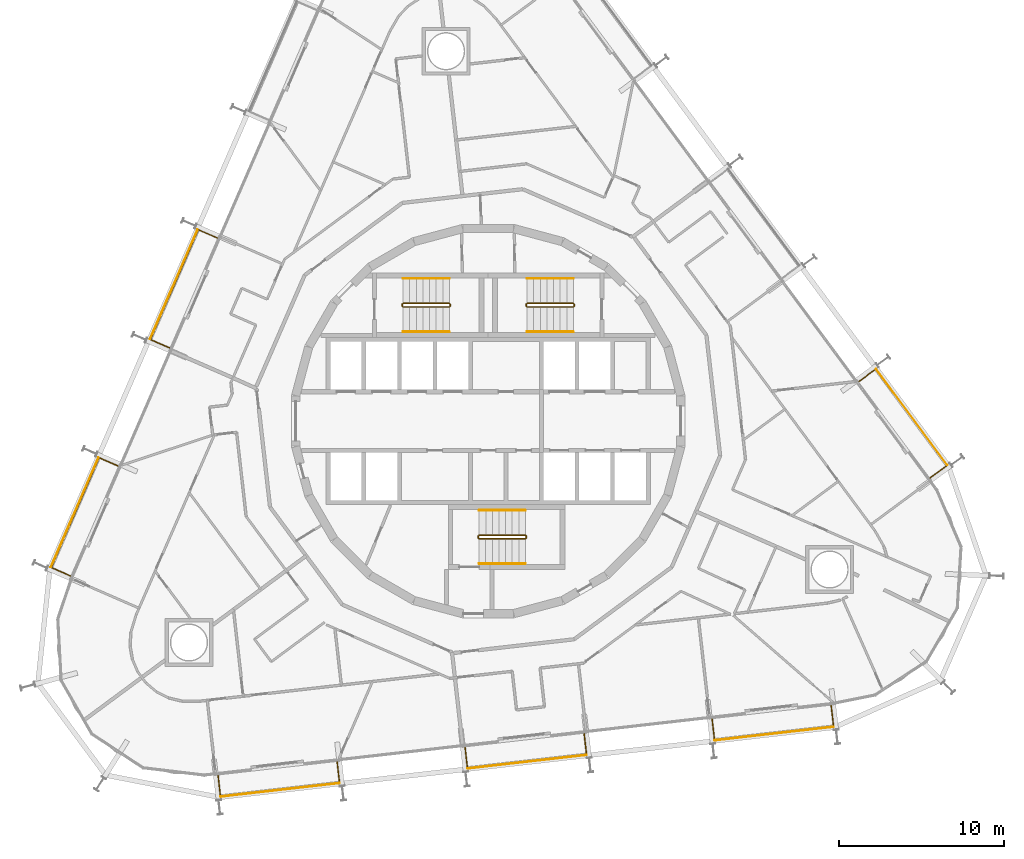
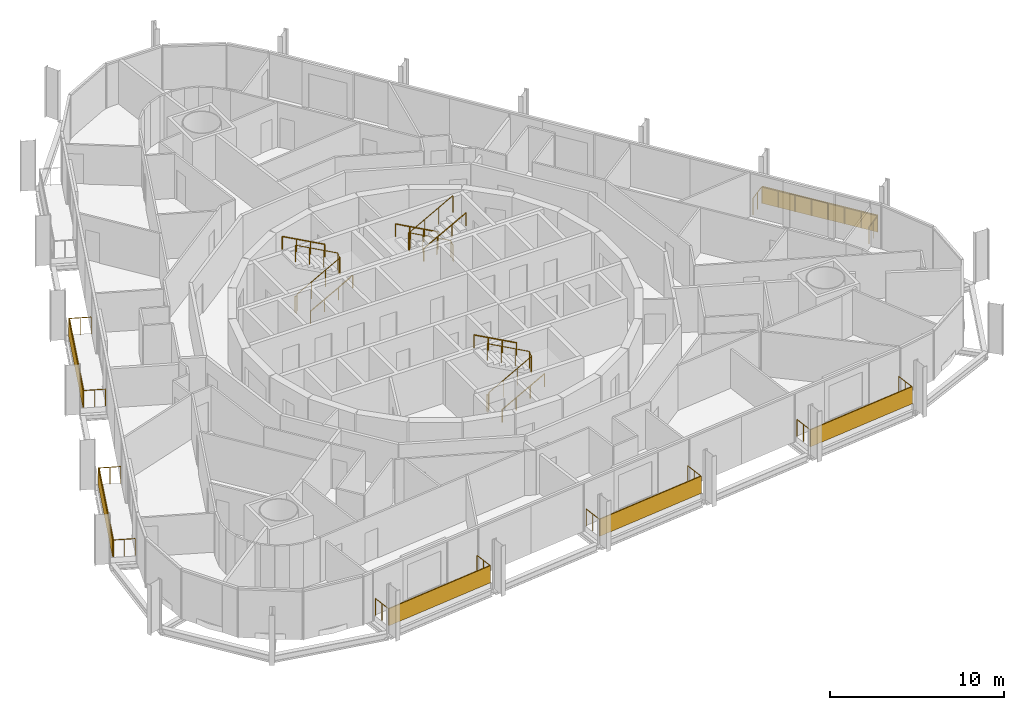
# One storey, part 21 of 22: 15 railings, 6 shading devices.
"""IFC4 building model written with IfcOpenShell, lengths in metres."""

from ifc_helpers import new_model, si_unit, direction, frame, origin, origin_2d, place, context, subcontext, project, spatial, rectangle, circle, extrude, material, layer, layer_set, type_object, element, save


model = new_model("IFC4")

# Units and contexts
model_context = context("Model", 3, precision=1e-05, world=origin(), true_north=direction((0.0, 1.0)))
body_context = subcontext(model_context, "Body", "Model", "MODEL_VIEW")
ifc_project = project(units=[si_unit("LENGTHUNIT", "METRE"), si_unit("AREAUNIT", "SQUARE_METRE"), si_unit("VOLUMEUNIT", "CUBIC_METRE"), si_unit("PLANEANGLEUNIT", "RADIAN"), si_unit("MASSUNIT", "GRAM", prefix="KILO")], contexts=[model_context])

# Site, building, storey
site_placement = place(None, origin())
site = spatial("IfcSite", under=ifc_project, at=site_placement, CompositionType="ELEMENT")
building_placement = place(site_placement, origin())
building = spatial("IfcBuilding", under=site, at=building_placement, Name="Spindle Arch Residences", CompositionType="ELEMENT")
storey_placement = place(building_placement, frame((0.0, 0.0, 80.199951171875)))
storey = spatial("IfcBuildingStorey", under=building, at=storey_placement, Name="L18", CompositionType="ELEMENT", Elevation=80.199951171875)

# Railings
ifc_material_1 = material(Name="Bronze anodised aluminium guard with glass infill", Category="aluminium")
railing_type_1 = type_object("IfcRailingType", Name="Balcony guard 1200", PredefinedType="GUARDRAIL", material=ifc_material_1)
railing_1_placement = place(storey_placement, frame((13.54150390625, -18.030517578125, 0.0)))
element("IfcRailing", 1, at=railing_1_placement, inside=storey, type_object=railing_type_1, Name="Guard L18 bay 2", PredefinedType="GUARDRAIL", context=body_context, shape_type="SweptSolid", body=[
    extrude(circle(Radius=0.02392578125, at=origin_2d()), frame((0.0, 0.0, 1.17578125), z_axis=(0.113089367196, -0.993584820248, 0.0), x_axis=(0.993584820248, 0.113089367196, 0.0)), (0.0, 0.0, 1.0), 1.25),
    extrude(circle(Radius=0.02392578125, at=origin_2d()), frame((0.141357421875, -1.241943359375, 1.17578125), z_axis=(0.993572236179, 0.113199874095, 0.0), x_axis=(-0.113199874095, 0.993572236179, 0.0)), (0.0, 0.0, 1.0), 7.248779296875),
    extrude(circle(Radius=0.02392578125, at=origin_2d()), frame((7.343505859375, -0.42138671875, 1.17578125), z_axis=(-0.113089367196, 0.993584820248, 0.0), x_axis=(-0.993584820248, -0.113089367196, 0.0)), (0.0, 0.0, 1.0), 1.25),
    extrude(circle(Radius=0.02099609375, at=origin_2d()), origin(), (0.0, 0.0, 1.0), 1.15185546875),
    extrude(circle(Radius=0.02099609375, at=origin_2d()), frame((0.07080078125, -0.62109375, 0.0)), (0.0, 0.0, 1.0), 1.15185546875),
    extrude(circle(Radius=0.02099609375, at=origin_2d()), frame((0.141357421875, -1.241943359375, 0.0)), (0.0, 0.0, 1.0), 1.15185546875),
    extrude(circle(Radius=0.02099609375, at=origin_2d()), frame((1.170166015625, -1.124755859375, 0.0)), (0.0, 0.0, 1.0), 1.15185546875),
    extrude(circle(Radius=0.02099609375, at=origin_2d()), frame((2.19921875, -1.007568359375, 0.0)), (0.0, 0.0, 1.0), 1.15185546875),
    extrude(circle(Radius=0.02099609375, at=origin_2d()), frame((3.22802734375, -0.890380859375, 0.0)), (0.0, 0.0, 1.0), 1.15185546875),
    extrude(circle(Radius=0.02099609375, at=origin_2d()), frame((4.2568359375, -0.77294921875, 0.0)), (0.0, 0.0, 1.0), 1.15185546875),
    extrude(circle(Radius=0.02099609375, at=origin_2d()), frame((5.28564453125, -0.65576171875, 0.0)), (0.0, 0.0, 1.0), 1.15185546875),
    extrude(circle(Radius=0.02099609375, at=origin_2d()), frame((6.314697265625, -0.53857421875, 0.0)), (0.0, 0.0, 1.0), 1.15185546875),
    extrude(circle(Radius=0.02099609375, at=origin_2d()), frame((7.343505859375, -0.42138671875, 0.0)), (0.0, 0.0, 1.0), 1.15185546875),
    extrude(circle(Radius=0.02099609375, at=origin_2d()), frame((7.27294921875, 0.19970703125, 0.0)), (0.0, 0.0, 1.0), 1.15185546875),
    extrude(circle(Radius=0.02099609375, at=origin_2d()), frame((7.2021484375, 0.820556640625, 0.0)), (0.0, 0.0, 1.0), 1.15185546875),
])
railing_2_placement = place(storey_placement, frame((26.733642578125, -3.433837890625, 0.0)))
element("IfcRailing", 2, at=railing_2_placement, inside=storey, type_object=railing_type_1, Name="Guard L18 bay 6", PredefinedType="GUARDRAIL", context=body_context, shape_type="SweptSolid", body=[
    extrude(circle(Radius=0.02392578125, at=origin_2d()), frame((0.0, 0.0, 1.17578125), z_axis=(0.803826957932, 0.594863195787, 0.0), x_axis=(-0.594863195787, 0.803826957932, 0.0)), (0.0, 0.0, 1.0), 1.250244140625),
    extrude(circle(Radius=0.02392578125, at=origin_2d()), frame((1.0048828125, 0.74365234375, 1.17578125), z_axis=(-0.594830382786, 0.803851239792, 0.0), x_axis=(-0.803851239792, -0.594830382786, 0.0)), (0.0, 0.0, 1.0), 7.248779296875),
    extrude(circle(Radius=0.02392578125, at=origin_2d()), frame((-3.306884765625, 6.570556640625, 1.17578125), z_axis=(-0.803920341668, -0.594736987459, 0.0), x_axis=(0.594736987459, -0.803920341668, 0.0)), (0.0, 0.0, 1.0), 1.25),
    extrude(circle(Radius=0.02099609375, at=origin_2d()), origin(), (0.0, 0.0, 1.0), 1.15185546875),
    extrude(circle(Radius=0.02099609375, at=origin_2d()), frame((0.50244140625, 0.371826171875, 0.0)), (0.0, 0.0, 1.0), 1.15185546875),
    extrude(circle(Radius=0.02099609375, at=origin_2d()), frame((1.0048828125, 0.74365234375, 0.0)), (0.0, 0.0, 1.0), 1.15185546875),
    extrude(circle(Radius=0.02099609375, at=origin_2d()), frame((0.388916015625, 1.576171875, 0.0)), (0.0, 0.0, 1.0), 1.15185546875),
    extrude(circle(Radius=0.02099609375, at=origin_2d()), frame((-0.22705078125, 2.408447265625, 0.0)), (0.0, 0.0, 1.0), 1.15185546875),
    extrude(circle(Radius=0.02099609375, at=origin_2d()), frame((-0.843017578125, 3.240966796875, 0.0)), (0.0, 0.0, 1.0), 1.15185546875),
    extrude(circle(Radius=0.02099609375, at=origin_2d()), frame((-1.458984375, 4.0732421875, 0.0)), (0.0, 0.0, 1.0), 1.15185546875),
    extrude(circle(Radius=0.02099609375, at=origin_2d()), frame((-2.074951171875, 4.90576171875, 0.0)), (0.0, 0.0, 1.0), 1.15185546875),
    extrude(circle(Radius=0.02099609375, at=origin_2d()), frame((-2.69091796875, 5.738037109375, 0.0)), (0.0, 0.0, 1.0), 1.15185546875),
    extrude(circle(Radius=0.02099609375, at=origin_2d()), frame((-3.306884765625, 6.570556640625, 0.0)), (0.0, 0.0, 1.0), 1.15185546875),
    extrude(circle(Radius=0.02099609375, at=origin_2d()), frame((-3.809326171875, 6.19873046875, 0.0)), (0.0, 0.0, 1.0), 1.15185546875),
    extrude(circle(Radius=0.02099609375, at=origin_2d()), frame((-4.311767578125, 5.8271484375, 0.0)), (0.0, 0.0, 1.0), 1.15185546875),
])
railing_3_placement = place(storey_placement, frame((-16.389404296875, 11.078369140625, 0.0)))
element("IfcRailing", 3, at=railing_3_placement, inside=storey, type_object=railing_type_1, Name="Guard L18 bay 16", PredefinedType="GUARDRAIL", context=body_context, shape_type="SweptSolid", body=[
    extrude(circle(Radius=0.02392578125, at=origin_2d()), frame((0.0, 0.0, 1.17578125), z_axis=(-0.917020365572, 0.398840380511, 0.0), x_axis=(-0.398840380511, -0.917020365572, 0.0)), (0.0, 0.0, 1.0), 1.25),
    extrude(circle(Radius=0.02392578125, at=origin_2d()), frame((-1.146240234375, 0.49853515625, 1.17578125), z_axis=(-0.398734732131, -0.917066308067, 0.0), x_axis=(0.917066308067, -0.398734732131, 0.0)), (0.0, 0.0, 1.0), 7.248779296875),
    extrude(circle(Radius=0.02392578125, at=origin_2d()), frame((-4.03662109375, -6.149169921875, 1.17578125), z_axis=(0.917091793142, -0.398676112844, 0.0), x_axis=(0.398676112844, 0.917091793142, 0.0)), (0.0, 0.0, 1.0), 1.249755859375),
    extrude(circle(Radius=0.02099609375, at=origin_2d()), origin(), (0.0, 0.0, 1.0), 1.15185546875),
    extrude(circle(Radius=0.02099609375, at=origin_2d()), frame((-0.5732421875, 0.249267578125, 0.0)), (0.0, 0.0, 1.0), 1.15185546875),
    extrude(circle(Radius=0.02099609375, at=origin_2d()), frame((-1.146240234375, 0.49853515625, 0.0)), (0.0, 0.0, 1.0), 1.15185546875),
    extrude(circle(Radius=0.02099609375, at=origin_2d()), frame((-1.55908203125, -0.451171875, 0.0)), (0.0, 0.0, 1.0), 1.15185546875),
    extrude(circle(Radius=0.02099609375, at=origin_2d()), frame((-1.97216796875, -1.40087890625, 0.0)), (0.0, 0.0, 1.0), 1.15185546875),
    extrude(circle(Radius=0.02099609375, at=origin_2d()), frame((-2.385009765625, -2.3505859375, 0.0)), (0.0, 0.0, 1.0), 1.15185546875),
    extrude(circle(Radius=0.02099609375, at=origin_2d()), frame((-2.7978515625, -3.300048828125, 0.0)), (0.0, 0.0, 1.0), 1.15185546875),
    extrude(circle(Radius=0.02099609375, at=origin_2d()), frame((-3.210693359375, -4.249755859375, 0.0)), (0.0, 0.0, 1.0), 1.15185546875),
    extrude(circle(Radius=0.02099609375, at=origin_2d()), frame((-3.623779296875, -5.199462890625, 0.0)), (0.0, 0.0, 1.0), 1.15185546875),
    extrude(circle(Radius=0.02099609375, at=origin_2d()), frame((-4.03662109375, -6.149169921875, 0.0)), (0.0, 0.0, 1.0), 1.15185546875),
    extrude(circle(Radius=0.02099609375, at=origin_2d()), frame((-3.46337890625, -6.3984375, 0.0)), (0.0, 0.0, 1.0), 1.15185546875),
    extrude(circle(Radius=0.02099609375, at=origin_2d()), frame((-2.890380859375, -6.6474609375, 0.0)), (0.0, 0.0, 1.0), 1.15185546875),
])
railing_4_placement = place(storey_placement, frame((-22.385498046875, -2.7119140625, 0.0)))
element("IfcRailing", 4, at=railing_4_placement, inside=storey, type_object=railing_type_1, Name="Guard L18 bay 18", PredefinedType="GUARDRAIL", context=body_context, shape_type="SweptSolid", body=[
    extrude(circle(Radius=0.02392578125, at=origin_2d()), frame((0.0, 0.0, 1.17578125), z_axis=(-0.917122831658, 0.398604706008, 0.0), x_axis=(-0.398604706008, -0.917122831658, 0.0)), (0.0, 0.0, 1.0), 1.25),
    extrude(circle(Radius=0.02392578125, at=origin_2d()), frame((-1.146484375, 0.498291015625, 1.17578125), z_axis=(-0.398747048027, -0.917060953094, 0.0), x_axis=(0.917060953094, -0.398747048027, 0.0)), (0.0, 0.0, 1.0), 7.248779296875),
    extrude(circle(Radius=0.02392578125, at=origin_2d()), frame((-4.036865234375, -6.149169921875, 1.17578125), z_axis=(0.917020365572, -0.398840380511, 0.0), x_axis=(0.398840380511, 0.917020365572, 0.0)), (0.0, 0.0, 1.0), 1.25),
    extrude(circle(Radius=0.02099609375, at=origin_2d()), origin(), (0.0, 0.0, 1.0), 1.15185546875),
    extrude(circle(Radius=0.02099609375, at=origin_2d()), frame((-0.5732421875, 0.2490234375, 0.0)), (0.0, 0.0, 1.0), 1.15185546875),
    extrude(circle(Radius=0.02099609375, at=origin_2d()), frame((-1.146484375, 0.498291015625, 0.0)), (0.0, 0.0, 1.0), 1.15185546875),
    extrude(circle(Radius=0.02099609375, at=origin_2d()), frame((-1.559326171875, -0.451416015625, 0.0)), (0.0, 0.0, 1.0), 1.15185546875),
    extrude(circle(Radius=0.02099609375, at=origin_2d()), frame((-1.972412109375, -1.40087890625, 0.0)), (0.0, 0.0, 1.0), 1.15185546875),
    extrude(circle(Radius=0.02099609375, at=origin_2d()), frame((-2.38525390625, -2.3505859375, 0.0)), (0.0, 0.0, 1.0), 1.15185546875),
    extrude(circle(Radius=0.02099609375, at=origin_2d()), frame((-2.798095703125, -3.30029296875, 0.0)), (0.0, 0.0, 1.0), 1.15185546875),
    extrude(circle(Radius=0.02099609375, at=origin_2d()), frame((-3.2109375, -4.25, 0.0)), (0.0, 0.0, 1.0), 1.15185546875),
    extrude(circle(Radius=0.02099609375, at=origin_2d()), frame((-3.6240234375, -5.199462890625, 0.0)), (0.0, 0.0, 1.0), 1.15185546875),
    extrude(circle(Radius=0.02099609375, at=origin_2d()), frame((-4.036865234375, -6.149169921875, 0.0)), (0.0, 0.0, 1.0), 1.15185546875),
    extrude(circle(Radius=0.02099609375, at=origin_2d()), frame((-3.4638671875, -6.3984375, 0.0)), (0.0, 0.0, 1.0), 1.15185546875),
    extrude(circle(Radius=0.02099609375, at=origin_2d()), frame((-2.890625, -6.647705078125, 0.0)), (0.0, 0.0, 1.0), 1.15185546875),
])
railing_5_placement = place(storey_placement, frame((-16.340576171875, -21.43505859375, 0.0)))
element("IfcRailing", 5, at=railing_5_placement, inside=storey, type_object=railing_type_1, Name="Guard L18 bay 22", PredefinedType="GUARDRAIL", context=body_context, shape_type="SweptSolid", body=[
    extrude(circle(Radius=0.02392578125, at=origin_2d()), frame((0.0, 0.0, 1.17578125), z_axis=(0.11328218126, -0.993562855289, 0.0), x_axis=(0.993562855289, 0.11328218126, 0.0)), (0.0, 0.0, 1.0), 1.25),
    extrude(circle(Radius=0.02392578125, at=origin_2d()), frame((0.1416015625, -1.241943359375, 1.17578125), z_axis=(0.993572236179, 0.113199874095, 0.0), x_axis=(-0.113199874095, 0.993572236179, 0.0)), (0.0, 0.0, 1.0), 7.248779296875),
    extrude(circle(Radius=0.02392578125, at=origin_2d()), frame((7.34375, -0.42138671875, 1.17578125), z_axis=(-0.11328218126, 0.993562855289, 0.0), x_axis=(-0.993562855289, -0.11328218126, 0.0)), (0.0, 0.0, 1.0), 1.25),
    extrude(circle(Radius=0.02099609375, at=origin_2d()), origin(), (0.0, 0.0, 1.0), 1.15185546875),
    extrude(circle(Radius=0.02099609375, at=origin_2d()), frame((0.07080078125, -0.62109375, 0.0)), (0.0, 0.0, 1.0), 1.15185546875),
    extrude(circle(Radius=0.02099609375, at=origin_2d()), frame((0.1416015625, -1.241943359375, 0.0)), (0.0, 0.0, 1.0), 1.15185546875),
    extrude(circle(Radius=0.02099609375, at=origin_2d()), frame((1.17041015625, -1.124755859375, 0.0)), (0.0, 0.0, 1.0), 1.15185546875),
    extrude(circle(Radius=0.02099609375, at=origin_2d()), frame((2.199462890625, -1.007568359375, 0.0)), (0.0, 0.0, 1.0), 1.15185546875),
    extrude(circle(Radius=0.02099609375, at=origin_2d()), frame((3.228271484375, -0.890380859375, 0.0)), (0.0, 0.0, 1.0), 1.15185546875),
    extrude(circle(Radius=0.02099609375, at=origin_2d()), frame((4.257080078125, -0.77294921875, 0.0)), (0.0, 0.0, 1.0), 1.15185546875),
    extrude(circle(Radius=0.02099609375, at=origin_2d()), frame((5.285888671875, -0.65576171875, 0.0)), (0.0, 0.0, 1.0), 1.15185546875),
    extrude(circle(Radius=0.02099609375, at=origin_2d()), frame((6.31494140625, -0.53857421875, 0.0)), (0.0, 0.0, 1.0), 1.15185546875),
    extrude(circle(Radius=0.02099609375, at=origin_2d()), frame((7.34375, -0.42138671875, 0.0)), (0.0, 0.0, 1.0), 1.15185546875),
    extrude(circle(Radius=0.02099609375, at=origin_2d()), frame((7.27294921875, 0.19970703125, 0.0)), (0.0, 0.0, 1.0), 1.15185546875),
    extrude(circle(Radius=0.02099609375, at=origin_2d()), frame((7.2021484375, 0.820556640625, 0.0)), (0.0, 0.0, 1.0), 1.15185546875),
])
railing_6_placement = place(storey_placement, frame((-1.399658203125, -19.73291015625, 0.0)))
element("IfcRailing", 6, at=railing_6_placement, inside=storey, type_object=railing_type_1, Name="Guard L18 bay 24", PredefinedType="GUARDRAIL", context=body_context, shape_type="SweptSolid", body=[
    extrude(circle(Radius=0.02392578125, at=origin_2d()), frame((0.0, 0.0, 1.17578125), z_axis=(0.11328218126, -0.993562855289, 0.0), x_axis=(0.993562855289, 0.11328218126, 0.0)), (0.0, 0.0, 1.0), 1.25),
    extrude(circle(Radius=0.02392578125, at=origin_2d()), frame((0.1416015625, -1.241943359375, 1.17578125), z_axis=(0.993572236179, 0.113199874095, 0.0), x_axis=(-0.113199874095, 0.993572236179, 0.0)), (0.0, 0.0, 1.0), 7.248779296875),
    extrude(circle(Radius=0.02392578125, at=origin_2d()), frame((7.34375, -0.42138671875, 1.17578125), z_axis=(-0.113067424691, 0.993587317488, 0.0), x_axis=(-0.993587317488, -0.113067424691, 0.0)), (0.0, 0.0, 1.0), 1.250244140625),
    extrude(circle(Radius=0.02099609375, at=origin_2d()), origin(), (0.0, 0.0, 1.0), 1.15185546875),
    extrude(circle(Radius=0.02099609375, at=origin_2d()), frame((0.07080078125, -0.62109375, 0.0)), (0.0, 0.0, 1.0), 1.15185546875),
    extrude(circle(Radius=0.02099609375, at=origin_2d()), frame((0.1416015625, -1.241943359375, 0.0)), (0.0, 0.0, 1.0), 1.15185546875),
    extrude(circle(Radius=0.02099609375, at=origin_2d()), frame((1.17041015625, -1.124755859375, 0.0)), (0.0, 0.0, 1.0), 1.15185546875),
    extrude(circle(Radius=0.02099609375, at=origin_2d()), frame((2.199462890625, -1.007568359375, 0.0)), (0.0, 0.0, 1.0), 1.15185546875),
    extrude(circle(Radius=0.02099609375, at=origin_2d()), frame((3.228271484375, -0.890380859375, 0.0)), (0.0, 0.0, 1.0), 1.15185546875),
    extrude(circle(Radius=0.02099609375, at=origin_2d()), frame((4.257080078125, -0.77294921875, 0.0)), (0.0, 0.0, 1.0), 1.15185546875),
    extrude(circle(Radius=0.02099609375, at=origin_2d()), frame((5.285888671875, -0.65576171875, 0.0)), (0.0, 0.0, 1.0), 1.15185546875),
    extrude(circle(Radius=0.02099609375, at=origin_2d()), frame((6.31494140625, -0.53857421875, 0.0)), (0.0, 0.0, 1.0), 1.15185546875),
    extrude(circle(Radius=0.02099609375, at=origin_2d()), frame((7.34375, -0.42138671875, 0.0)), (0.0, 0.0, 1.0), 1.15185546875),
    extrude(circle(Radius=0.02099609375, at=origin_2d()), frame((7.27294921875, 0.19970703125, 0.0)), (0.0, 0.0, 1.0), 1.15185546875),
    extrude(circle(Radius=0.02099609375, at=origin_2d()), frame((7.202392578125, 0.82080078125, 0.0)), (0.0, 0.0, 1.0), 1.15185546875),
])

# Shading devices
ifc_material_2 = material(Name="Bronze perforated cobogo screen")
ifc_layer = layer(ifc_material_2, 0.0390625)
ifc_layer_set = layer_set([ifc_layer], Name="Cobogo screen 1200")
shading_device_type = type_object("IfcShadingDeviceType", Name="Cobogo screen 1200", PredefinedType="USERDEFINED", material=ifc_layer_set)
for number, where, z_axis, x_axis, name in (
    (7, (17.28857421875, -18.90234375, 0.0), (0.0, 0.0, 1.0), (0.993571855677, 0.113203213768, 0.0), "Cobogo screen L18 bay 2"),
    (8, (25.615234375, 0.247314453125, 0.0), (0.0, 0.0, 1.0), (-0.594822786751, 0.803856860617, 0.0), "Cobogo screen L18 bay 6"),
    (9, (-19.01806640625, 8.269287109375, 0.0), (0.0, 0.0, 1.0), (-0.398749068925, -0.917060074385, 0.0), "Cobogo screen L18 bay 16"),
    (10, (-25.01416015625, -5.521240234375, 0.0), (0.0, 0.0, 1.0), (-0.398749068925, -0.917060074385, 0.0), "Cobogo screen L18 bay 18"),
    (11, (-12.59326171875, -22.30712890625, 0.0), (0.0, 0.0, 1.0), (0.993571855677, 0.113203213768, 0.0), "Cobogo screen L18 bay 22"),
    (12, (2.34765625, -20.604736328125, 0.0), (0.0, 0.0, 1.0), (0.993571855677, 0.113203213768, 0.0), "Cobogo screen L18 bay 24"),
):
    element("IfcShadingDevice", number, at=place(storey_placement, frame(where, z_axis=z_axis, x_axis=x_axis)), inside=storey, type_object=shading_device_type, Name=name, ObjectType="SCREEN", PredefinedType="USERDEFINED", context=body_context, shape_type="SweptSolid", body=[
        extrude(rectangle(XDim=7.248779296875, YDim=0.0390625, at=origin_2d()), origin(), (0.0, 0.0, 1.0), 1.199951171875),
    ])

# Railings
ifc_material_3 = material(Name="Steel, painted", Category="steel")
railing_type_2 = type_object("IfcRailingType", Name="Stair guard 1100", PredefinedType="GUARDRAIL", material=ifc_material_3)
railing_7_placement = place(storey_placement, frame((5.14990234375, 6.89990234375, 3.5)))
element("IfcRailing", 13, at=railing_7_placement, inside=storey, type_object=railing_type_2, Name="L18 ST1 stair guard 1", PredefinedType="GUARDRAIL", context=body_context, shape_type="SweptSolid", body=[
    extrude(circle(Radius=0.02392578125, at=origin_2d()), frame((0.0, 0.0, 1.17578125), z_axis=(-0.877357048833, 0.0, -0.479838106931), x_axis=(0.0, -1.0, 0.0)), (0.0, 0.0, 1.0), 3.191162109375),
    extrude(circle(Radius=0.02392578125, at=origin_2d()), frame((-2.7998046875, 0.0, -0.35546875), z_axis=(-0.217683172539, 0.217683172539, -0.951434744366), x_axis=(-0.707106781187, -0.707106781187, 0.0)), (0.0, 0.0, 1.0), 0.22998046875),
    extrude(circle(Radius=0.02392578125, at=origin_2d()), frame((-2.849853515625, 0.050048828125, -0.57421875), z_axis=(0.0, 1.0, 0.0), x_axis=(-1.0, 0.0, 0.0)), (0.0, 0.0, 1.0), 0.1201171875),
    extrude(circle(Radius=0.02392578125, at=origin_2d()), frame((-2.849853515625, 0.170166015625, -0.57421875), z_axis=(0.707106781187, 0.707106781187, 0.0), x_axis=(-0.707106781187, 0.707106781187, 0.0)), (0.0, 0.0, 1.0), 0.07080078125),
    extrude(circle(Radius=0.02392578125, at=origin_2d()), frame((-2.7998046875, 0.22021484375, -0.57421875), z_axis=(0.877357048833, 0.0, -0.479838106931), x_axis=(0.0, 1.0, 0.0)), (0.0, 0.0, 1.0), 3.191162109375),
    extrude(circle(Radius=0.02392578125, at=origin_2d()), frame((0.0, 0.22021484375, -2.10546875), z_axis=(0.217683172539, -0.217683172539, -0.951434744366), x_axis=(0.707106781187, 0.707106781187, 0.0)), (0.0, 0.0, 1.0), 0.22998046875),
    extrude(circle(Radius=0.02392578125, at=origin_2d()), frame((0.050048828125, 0.170166015625, -2.32421875), z_axis=(0.0, -1.0, 0.0), x_axis=(1.0, 0.0, 0.0)), (0.0, 0.0, 1.0), 0.1201171875),
    extrude(circle(Radius=0.02099609375, at=origin_2d()), origin(), (0.0, 0.0, 1.0), 1.15185546875),
    extrude(circle(Radius=0.02099609375, at=origin_2d()), frame((-0.933349609375, 0.0, -0.510498046875)), (0.0, 0.0, 1.0), 1.15185546875),
    extrude(circle(Radius=0.02099609375, at=origin_2d()), frame((-1.866455078125, 0.0, -1.020751953125)), (0.0, 0.0, 1.0), 1.15185546875),
    extrude(circle(Radius=0.02099609375, at=origin_2d()), frame((-2.7998046875, 0.0, -1.53125)), (0.0, 0.0, 1.0), 1.15185546875),
    extrude(circle(Radius=0.02099609375, at=origin_2d()), frame((-2.849853515625, 0.050048828125, -1.75)), (0.0, 0.0, 1.0), 1.15185546875),
    extrude(circle(Radius=0.02099609375, at=origin_2d()), frame((-2.849853515625, 0.170166015625, -1.75)), (0.0, 0.0, 1.0), 1.15185546875),
    extrude(circle(Radius=0.02099609375, at=origin_2d()), frame((-2.7998046875, 0.22021484375, -1.75)), (0.0, 0.0, 1.0), 1.15185546875),
    extrude(circle(Radius=0.02099609375, at=origin_2d()), frame((-1.866455078125, 0.22021484375, -2.260498046875)), (0.0, 0.0, 1.0), 1.15185546875),
    extrude(circle(Radius=0.02099609375, at=origin_2d()), frame((-0.933349609375, 0.22021484375, -2.770751953125)), (0.0, 0.0, 1.0), 1.15185546875),
    extrude(circle(Radius=0.02099609375, at=origin_2d()), frame((0.0, 0.22021484375, -3.28125)), (0.0, 0.0, 1.0), 1.15185546875),
    extrude(circle(Radius=0.02099609375, at=origin_2d()), frame((0.050048828125, 0.170166015625, -3.5)), (0.0, 0.0, 1.0), 1.15185546875),
    extrude(circle(Radius=0.02099609375, at=origin_2d()), frame((0.050048828125, 0.050048828125, -3.5)), (0.0, 0.0, 1.0), 1.15185546875),
])
railing_8_placement = place(storey_placement, frame((-5.14990234375, 7.1201171875, 3.5)))
element("IfcRailing", 14, at=railing_8_placement, inside=storey, type_object=railing_type_2, Name="L18 ST2 stair guard 1", PredefinedType="GUARDRAIL", context=body_context, shape_type="SweptSolid", body=[
    extrude(circle(Radius=0.02392578125, at=origin_2d()), frame((0.0, 0.0, 1.17578125), z_axis=(0.877357048833, 0.0, -0.479838106931), x_axis=(0.0, 1.0, 0.0)), (0.0, 0.0, 1.0), 3.191162109375),
    extrude(circle(Radius=0.02392578125, at=origin_2d()), frame((2.7998046875, 0.0, -0.35546875), z_axis=(0.217683172539, -0.217683172539, -0.951434744366), x_axis=(0.707106781187, 0.707106781187, 0.0)), (0.0, 0.0, 1.0), 0.22998046875),
    extrude(circle(Radius=0.02392578125, at=origin_2d()), frame((2.849853515625, -0.050048828125, -0.57421875), z_axis=(0.0, -1.0, 0.0), x_axis=(1.0, 0.0, 0.0)), (0.0, 0.0, 1.0), 0.1201171875),
    extrude(circle(Radius=0.02392578125, at=origin_2d()), frame((2.849853515625, -0.170166015625, -0.57421875), z_axis=(-0.707106781187, -0.707106781187, 0.0), x_axis=(0.707106781187, -0.707106781187, 0.0)), (0.0, 0.0, 1.0), 0.07080078125),
    extrude(circle(Radius=0.02392578125, at=origin_2d()), frame((2.7998046875, -0.22021484375, -0.57421875), z_axis=(-0.877357048833, 0.0, -0.479838106931), x_axis=(0.0, -1.0, 0.0)), (0.0, 0.0, 1.0), 3.191162109375),
    extrude(circle(Radius=0.02392578125, at=origin_2d()), frame((0.0, -0.22021484375, -2.10546875), z_axis=(-0.217683172539, 0.217683172539, -0.951434744366), x_axis=(-0.707106781187, -0.707106781187, 0.0)), (0.0, 0.0, 1.0), 0.22998046875),
    extrude(circle(Radius=0.02392578125, at=origin_2d()), frame((-0.050048828125, -0.170166015625, -2.32421875), z_axis=(0.0, 1.0, 0.0), x_axis=(-1.0, 0.0, 0.0)), (0.0, 0.0, 1.0), 0.1201171875),
    extrude(circle(Radius=0.02099609375, at=origin_2d()), origin(), (0.0, 0.0, 1.0), 1.15185546875),
    extrude(circle(Radius=0.02099609375, at=origin_2d()), frame((0.933349609375, 0.0, -0.510498046875)), (0.0, 0.0, 1.0), 1.15185546875),
    extrude(circle(Radius=0.02099609375, at=origin_2d()), frame((1.866455078125, 0.0, -1.020751953125)), (0.0, 0.0, 1.0), 1.15185546875),
    extrude(circle(Radius=0.02099609375, at=origin_2d()), frame((2.7998046875, 0.0, -1.53125)), (0.0, 0.0, 1.0), 1.15185546875),
    extrude(circle(Radius=0.02099609375, at=origin_2d()), frame((2.849853515625, -0.050048828125, -1.75)), (0.0, 0.0, 1.0), 1.15185546875),
    extrude(circle(Radius=0.02099609375, at=origin_2d()), frame((2.849853515625, -0.170166015625, -1.75)), (0.0, 0.0, 1.0), 1.15185546875),
    extrude(circle(Radius=0.02099609375, at=origin_2d()), frame((2.7998046875, -0.22021484375, -1.75)), (0.0, 0.0, 1.0), 1.15185546875),
    extrude(circle(Radius=0.02099609375, at=origin_2d()), frame((1.866455078125, -0.22021484375, -2.260498046875)), (0.0, 0.0, 1.0), 1.15185546875),
    extrude(circle(Radius=0.02099609375, at=origin_2d()), frame((0.933349609375, -0.22021484375, -2.770751953125)), (0.0, 0.0, 1.0), 1.15185546875),
    extrude(circle(Radius=0.02099609375, at=origin_2d()), frame((0.0, -0.22021484375, -3.28125)), (0.0, 0.0, 1.0), 1.15185546875),
    extrude(circle(Radius=0.02099609375, at=origin_2d()), frame((-0.050048828125, -0.170166015625, -3.5)), (0.0, 0.0, 1.0), 1.15185546875),
    extrude(circle(Radius=0.02099609375, at=origin_2d()), frame((-0.050048828125, -0.050048828125, -3.5)), (0.0, 0.0, 1.0), 1.15185546875),
])
railing_9_placement = place(storey_placement, frame((-0.550048828125, -6.89990234375, 3.5)))
element("IfcRailing", 15, at=railing_9_placement, inside=storey, type_object=railing_type_2, Name="L18 ST3 stair guard 1", PredefinedType="GUARDRAIL", context=body_context, shape_type="SweptSolid", body=[
    extrude(circle(Radius=0.02392578125, at=origin_2d()), frame((0.0, 0.0, 1.17578125), z_axis=(0.877374661878, 0.0, -0.479805901063), x_axis=(0.0, 1.0, 0.0)), (0.0, 0.0, 1.0), 3.19140625),
    extrude(circle(Radius=0.02392578125, at=origin_2d()), frame((2.800048828125, 0.0, -0.35546875), z_axis=(0.217683172539, -0.217683172539, -0.951434744366), x_axis=(0.707106781187, 0.707106781187, 0.0)), (0.0, 0.0, 1.0), 0.22998046875),
    extrude(circle(Radius=0.02392578125, at=origin_2d()), frame((2.85009765625, -0.050048828125, -0.57421875), z_axis=(0.0, -1.0, 0.0), x_axis=(1.0, 0.0, 0.0)), (0.0, 0.0, 1.0), 0.1201171875),
    extrude(circle(Radius=0.02392578125, at=origin_2d()), frame((2.85009765625, -0.170166015625, -0.57421875), z_axis=(-0.707106781187, -0.707106781187, 0.0), x_axis=(0.707106781187, -0.707106781187, 0.0)), (0.0, 0.0, 1.0), 0.07080078125),
    extrude(circle(Radius=0.02392578125, at=origin_2d()), frame((2.800048828125, -0.22021484375, -0.57421875), z_axis=(-0.877374661878, 0.0, -0.479805901063), x_axis=(0.0, -1.0, 0.0)), (0.0, 0.0, 1.0), 3.19140625),
    extrude(circle(Radius=0.02392578125, at=origin_2d()), frame((0.0, -0.22021484375, -2.10546875), z_axis=(-0.217683172539, 0.217683172539, -0.951434744366), x_axis=(-0.707106781187, -0.707106781187, 0.0)), (0.0, 0.0, 1.0), 0.22998046875),
    extrude(circle(Radius=0.02392578125, at=origin_2d()), frame((-0.050048828125, -0.170166015625, -2.32421875), z_axis=(0.0, 1.0, 0.0), x_axis=(-1.0, 0.0, 0.0)), (0.0, 0.0, 1.0), 0.1201171875),
    extrude(circle(Radius=0.02099609375, at=origin_2d()), origin(), (0.0, 0.0, 1.0), 1.15185546875),
    extrude(circle(Radius=0.02099609375, at=origin_2d()), frame((0.933349609375, 0.0, -0.510498046875)), (0.0, 0.0, 1.0), 1.15185546875),
    extrude(circle(Radius=0.02099609375, at=origin_2d()), frame((1.86669921875, 0.0, -1.020751953125)), (0.0, 0.0, 1.0), 1.15185546875),
    extrude(circle(Radius=0.02099609375, at=origin_2d()), frame((2.800048828125, 0.0, -1.53125)), (0.0, 0.0, 1.0), 1.15185546875),
    extrude(circle(Radius=0.02099609375, at=origin_2d()), frame((2.85009765625, -0.050048828125, -1.75)), (0.0, 0.0, 1.0), 1.15185546875),
    extrude(circle(Radius=0.02099609375, at=origin_2d()), frame((2.85009765625, -0.170166015625, -1.75)), (0.0, 0.0, 1.0), 1.15185546875),
    extrude(circle(Radius=0.02099609375, at=origin_2d()), frame((2.800048828125, -0.22021484375, -1.75)), (0.0, 0.0, 1.0), 1.15185546875),
    extrude(circle(Radius=0.02099609375, at=origin_2d()), frame((1.86669921875, -0.22021484375, -2.260498046875)), (0.0, 0.0, 1.0), 1.15185546875),
    extrude(circle(Radius=0.02099609375, at=origin_2d()), frame((0.933349609375, -0.22021484375, -2.770751953125)), (0.0, 0.0, 1.0), 1.15185546875),
    extrude(circle(Radius=0.02099609375, at=origin_2d()), frame((0.0, -0.22021484375, -3.28125)), (0.0, 0.0, 1.0), 1.15185546875),
    extrude(circle(Radius=0.02099609375, at=origin_2d()), frame((-0.050048828125, -0.170166015625, -3.5)), (0.0, 0.0, 1.0), 1.15185546875),
    extrude(circle(Radius=0.02099609375, at=origin_2d()), frame((-0.050048828125, -0.050048828125, -3.5)), (0.0, 0.0, 1.0), 1.15185546875),
])
ifc_material_4 = material(Name="Steel, painted", Category="steel")
railing_type_3 = type_object("IfcRailingType", Name="Stair handrail 900", PredefinedType="HANDRAIL", material=ifc_material_4)
railing_10_placement = place(storey_placement, frame((5.14990234375, 8.6201171875, 0.21875)))
element("IfcRailing", 16, at=railing_10_placement, inside=storey, type_object=railing_type_3, Name="L18 ST1 stair handrail 1", PredefinedType="HANDRAIL", context=body_context, shape_type="SweptSolid", body=[
    extrude(circle(Radius=0.02392578125, at=origin_2d()), frame((0.0, 0.0, 0.8759765625), z_axis=(-0.877357048833, 0.0, 0.479838106931), x_axis=(0.0, -1.0, 0.0)), (0.0, 0.0, 1.0), 3.191162109375),
    extrude(circle(Radius=0.02099609375, at=origin_2d()), origin(), (0.0, 0.0, 1.0), 0.851806640625),
    extrude(circle(Radius=0.02099609375, at=origin_2d()), frame((-0.933349609375, 0.0, 0.510498046875)), (0.0, 0.0, 1.0), 0.851806640625),
    extrude(circle(Radius=0.02099609375, at=origin_2d()), frame((-1.866455078125, 0.0, 1.020751953125)), (0.0, 0.0, 1.0), 0.851806640625),
    extrude(circle(Radius=0.02099609375, at=origin_2d()), frame((-2.7998046875, 0.0, 1.53125)), (0.0, 0.0, 1.0), 0.851806640625),
])
for number, where, name in (
    (17, (2.35009765625, 5.39990234375, 1.96875), "L18 ST1 stair handrail 2"),
    (18, (-5.14990234375, 5.39990234375, 0.21875), "L18 ST2 stair handrail 1"),
):
    element("IfcRailing", number, at=place(storey_placement, frame(where)), inside=storey, type_object=railing_type_3, Name=name, PredefinedType="HANDRAIL", context=body_context, shape_type="SweptSolid", body=[
        extrude(circle(Radius=0.02392578125, at=origin_2d()), frame((0.0, 0.0, 0.8759765625), z_axis=(0.877357048833, 0.0, 0.479838106931), x_axis=(0.0, 1.0, 0.0)), (0.0, 0.0, 1.0), 3.191162109375),
        extrude(circle(Radius=0.02099609375, at=origin_2d()), origin(), (0.0, 0.0, 1.0), 0.851806640625),
        extrude(circle(Radius=0.02099609375, at=origin_2d()), frame((0.933349609375, 0.0, 0.510498046875)), (0.0, 0.0, 1.0), 0.851806640625),
        extrude(circle(Radius=0.02099609375, at=origin_2d()), frame((1.866455078125, 0.0, 1.020751953125)), (0.0, 0.0, 1.0), 0.851806640625),
        extrude(circle(Radius=0.02099609375, at=origin_2d()), frame((2.7998046875, 0.0, 1.53125)), (0.0, 0.0, 1.0), 0.851806640625),
    ])
railing_11_placement = place(storey_placement, frame((-2.35009765625, 8.6201171875, 1.96875)))
element("IfcRailing", 19, at=railing_11_placement, inside=storey, type_object=railing_type_3, Name="L18 ST2 stair handrail 2", PredefinedType="HANDRAIL", context=body_context, shape_type="SweptSolid", body=[
    extrude(circle(Radius=0.02392578125, at=origin_2d()), frame((0.0, 0.0, 0.8759765625), z_axis=(-0.877357048833, 0.0, 0.479838106931), x_axis=(0.0, -1.0, 0.0)), (0.0, 0.0, 1.0), 3.191162109375),
    extrude(circle(Radius=0.02099609375, at=origin_2d()), origin(), (0.0, 0.0, 1.0), 0.851806640625),
    extrude(circle(Radius=0.02099609375, at=origin_2d()), frame((-0.933349609375, 0.0, 0.510498046875)), (0.0, 0.0, 1.0), 0.851806640625),
    extrude(circle(Radius=0.02099609375, at=origin_2d()), frame((-1.866455078125, 0.0, 1.020751953125)), (0.0, 0.0, 1.0), 0.851806640625),
    extrude(circle(Radius=0.02099609375, at=origin_2d()), frame((-2.7998046875, 0.0, 1.53125)), (0.0, 0.0, 1.0), 0.851806640625),
])
railing_12_placement = place(storey_placement, frame((-0.550048828125, -8.6201171875, 0.21875)))
element("IfcRailing", 20, at=railing_12_placement, inside=storey, type_object=railing_type_3, Name="L18 ST3 stair handrail 1", PredefinedType="HANDRAIL", context=body_context, shape_type="SweptSolid", body=[
    extrude(circle(Radius=0.02392578125, at=origin_2d()), frame((0.0, 0.0, 0.8759765625), z_axis=(0.877374661878, 0.0, 0.479805901063), x_axis=(0.0, 1.0, 0.0)), (0.0, 0.0, 1.0), 3.19140625),
    extrude(circle(Radius=0.02099609375, at=origin_2d()), origin(), (0.0, 0.0, 1.0), 0.851806640625),
    extrude(circle(Radius=0.02099609375, at=origin_2d()), frame((0.933349609375, 0.0, 0.510498046875)), (0.0, 0.0, 1.0), 0.851806640625),
    extrude(circle(Radius=0.02099609375, at=origin_2d()), frame((1.86669921875, 0.0, 1.020751953125)), (0.0, 0.0, 1.0), 0.851806640625),
    extrude(circle(Radius=0.02099609375, at=origin_2d()), frame((2.800048828125, 0.0, 1.53125)), (0.0, 0.0, 1.0), 0.851806640625),
])
railing_13_placement = place(storey_placement, frame((2.25, -5.39990234375, 1.96875)))
element("IfcRailing", 21, at=railing_13_placement, inside=storey, type_object=railing_type_3, Name="L18 ST3 stair handrail 2", PredefinedType="HANDRAIL", context=body_context, shape_type="SweptSolid", body=[
    extrude(circle(Radius=0.02392578125, at=origin_2d()), frame((0.0, 0.0, 0.8759765625), z_axis=(-0.877374661878, 0.0, 0.479805901063), x_axis=(0.0, -1.0, 0.0)), (0.0, 0.0, 1.0), 3.19140625),
    extrude(circle(Radius=0.02099609375, at=origin_2d()), origin(), (0.0, 0.0, 1.0), 0.851806640625),
    extrude(circle(Radius=0.02099609375, at=origin_2d()), frame((-0.933349609375, 0.0, 0.510498046875)), (0.0, 0.0, 1.0), 0.851806640625),
    extrude(circle(Radius=0.02099609375, at=origin_2d()), frame((-1.86669921875, 0.0, 1.020751953125)), (0.0, 0.0, 1.0), 0.851806640625),
    extrude(circle(Radius=0.02099609375, at=origin_2d()), frame((-2.800048828125, 0.0, 1.53125)), (0.0, 0.0, 1.0), 0.851806640625),
])

save(model, "model.ifc")
